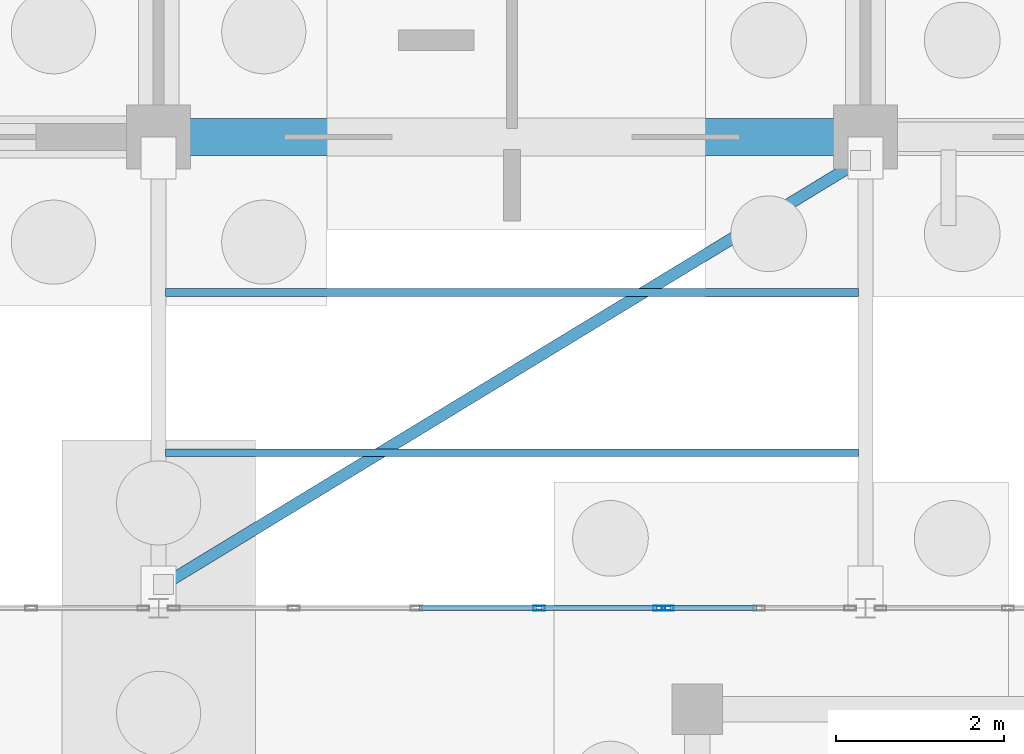
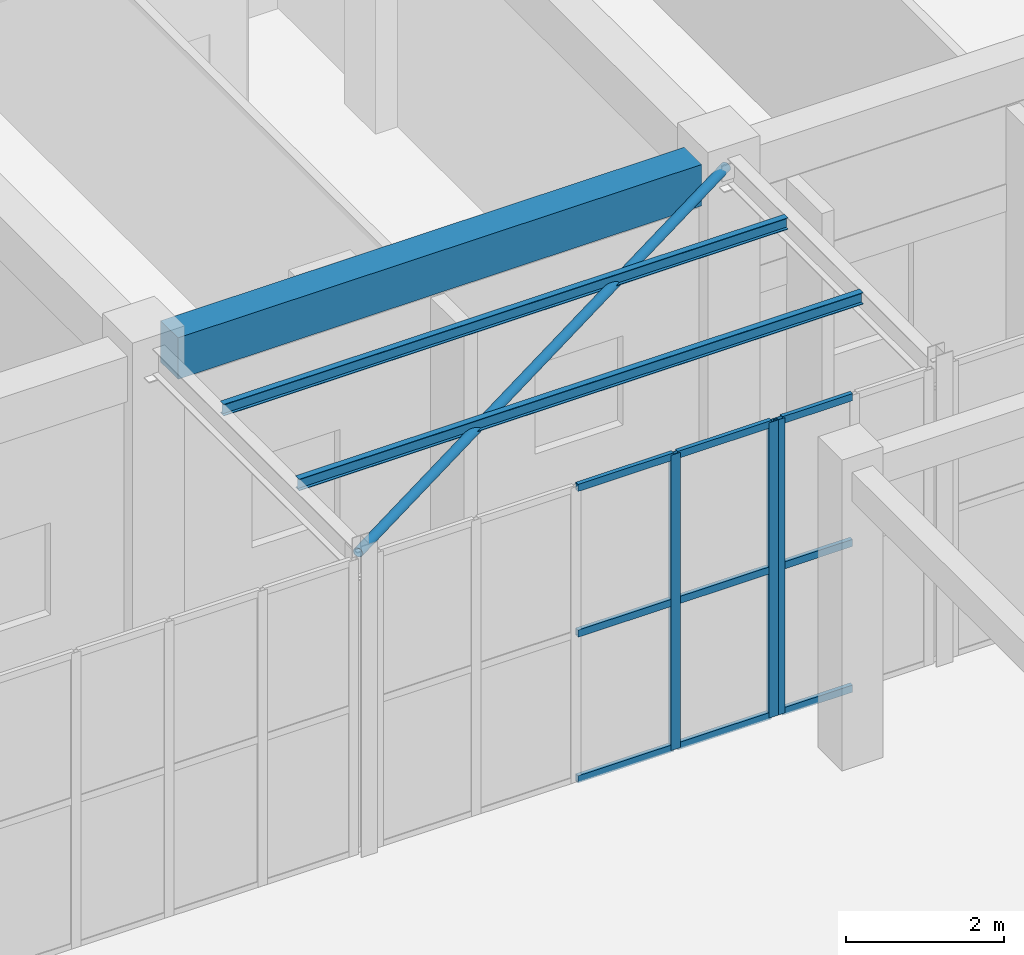
# One storey, part 116 of 192: 13 members, 3 beams, 2 elements without a shape of their own.
"""IFC4 building model written with IfcOpenShell, lengths in metres."""

from ifc_helpers import new_model, si_unit, direction, frame, origin, origin_2d, place, context, subcontext, project, spatial, rectangle, hollow_rectangle, hollow_circle, i_section, extrude, material, layer, layer_set, material_profile, profile_set, type_object, element, aggregate, save


model = new_model("IFC4")

# Units and contexts
model_context = context("Model", 3, precision=1e-05, world=origin(), true_north=direction((0.0, 1.0)))
body_context = subcontext(model_context, "Body", "Model", "MODEL_VIEW")
ifc_project = project(units=[si_unit("LENGTHUNIT", "METRE"), si_unit("AREAUNIT", "SQUARE_METRE"), si_unit("VOLUMEUNIT", "CUBIC_METRE"), si_unit("PLANEANGLEUNIT", "RADIAN"), si_unit("MASSUNIT", "GRAM", prefix="KILO")], contexts=[model_context])

# Site, building, storey
site_placement = place(None, origin())
site = spatial("IfcSite", under=ifc_project, at=site_placement, CompositionType="ELEMENT")
building_placement = place(site_placement, origin())
building = spatial("IfcBuilding", under=site, at=building_placement, Name="Trelvath General Hospital", CompositionType="ELEMENT")
storey_placement = place(building_placement, origin())
storey = spatial("IfcBuildingStorey", under=building, at=storey_placement, Name="L00", CompositionType="ELEMENT", Elevation=0.0)

# Beam
ifc_material_1 = material(Name="Concrete C35/45", Category="concrete")
ifc_material_profile_1 = material_profile(ifc_material_1, rectangle(XDim=0.43994140625, YDim=0.639892578125, at=origin_2d()), Name="RCB440x640")
ifc_profile_set_1 = profile_set([ifc_material_profile_1], Name="Concrete C35/45")
beam_type_1 = type_object("IfcBeamType", Name="Beam RC440x640", PredefinedType="BEAM", material=ifc_profile_set_1)
beam_placement = place(storey_placement, frame((101.175048828125, 92.39990234375, 4.199951171875), z_axis=(1.0, 0.0, 0.0), x_axis=(0.0, 1.0, 0.0)))
element("IfcBeam", 1, at=beam_placement, inside=storey, type_object=beam_type_1, Name="Grid Beam BX-012L", PredefinedType="BEAM", context=body_context, shape_type="SweptSolid", body=[
    extrude(rectangle(XDim=0.43994140625, YDim=0.639892578125, at=origin_2d()), origin(), (0.0, 0.0, 1.0), 7.64990234375),
])

# Member
ifc_material_2 = material(Name="Steel S355", Category="steel")
ifc_material_profile_2 = material_profile(ifc_material_2, hollow_circle(Radius=0.06982421875, WallThickness=0.00634765625, at=origin_2d()), Name="CHS139.7x6.3")
ifc_profile_set_2 = profile_set([ifc_material_profile_2], Name="Steel S355")
member_type_1 = type_object("IfcMemberType", Name="BridgeBrace CHS139", PredefinedType="BRACE", material=ifc_profile_set_2)
member_1_placement = place(storey_placement, frame((100.860107421875, 87.080078125, 4.409912109375), z_axis=(0.854190773615, 0.519959731394, 0.0), x_axis=(-0.519959731394, 0.854190773615, 0.0)))
element("IfcMember", 2, at=member_1_placement, inside=storey, type_object=member_type_1, Name="Bridge Lateral Brace BRG-N-E L01", PredefinedType="BRACE", context=body_context, shape_type="SweptSolid", body=[
    extrude(hollow_circle(Radius=0.06982421875, WallThickness=0.00634765625, at=origin_2d()), origin(), (0.0, 0.0, 1.0), 9.693115234375),
])

# Beams
ifc_material_3 = material(Name="Steel S355", Category="steel")
ifc_material_profile_3 = material_profile(ifc_material_3, i_section(OverallWidth=0.091064453125, OverallDepth=0.179931640625, WebThickness=0.00537109375, FlangeThickness=0.008056640625, at=origin_2d()), Name="IPE180")
ifc_profile_set_3 = profile_set([ifc_material_profile_3], Name="Steel S355")
beam_type_2 = type_object("IfcBeamType", Name="BridgeJoist IPE180", PredefinedType="JOIST", material=ifc_profile_set_3)
for number, where, z_axis, x_axis, name in (
    (3, (100.8798828125, 88.64794921875, 4.52001953125), (1.0, 0.0, 0.0), (0.0, 1.0, 0.0), "Bridge Cross Joist BRG-N-E L01"),
    (4, (100.8798828125, 90.552001953125, 4.52001953125), (1.0, 0.0, 0.0), (0.0, 1.0, 0.0), "Bridge Cross Joist BRG-N-E L01"),
):
    element("IfcBeam", number, at=place(storey_placement, frame(where, z_axis=z_axis, x_axis=x_axis)), inside=storey, type_object=beam_type_2, Name=name, PredefinedType="JOIST", context=body_context, shape_type="SweptSolid", body=[
        extrude(i_section(OverallWidth=0.091064453125, OverallDepth=0.179931640625, WebThickness=0.00537109375, FlangeThickness=0.008056640625, at=origin_2d()), origin(), (0.0, 0.0, 1.0), 8.240234375),
    ])

# Curtain wall, members
ifc_material_4 = material(Name="Anodised aluminium and low-E glass", Category="aluminium")
ifc_layer_1 = layer(ifc_material_4, 0.139892578125)
ifc_layer_set_1 = layer_set([ifc_layer_1], Name="Anodised aluminium and low-E glass")
curtain_wall_type_1 = type_object("IfcCurtainWallType", Name="CW CrystalCube 583 456 14", PredefinedType="USERDEFINED", material=ifc_layer_set_1)
curtain_wall_1_placement = place(storey_placement, origin())
curtain_wall_1 = element("IfcCurtainWall", 5, at=curtain_wall_1_placement, inside=storey, type_object=curtain_wall_type_1, Name="Crystal Cube Curtain Wall CUBE-E-T0 N2 L00", ObjectType="Unitised Glazed Curtain Wall", PredefinedType="USERDEFINED")
ifc_material_5 = material(Name="Anodised aluminium", Category="aluminium")
ifc_material_profile_4 = material_profile(ifc_material_5, hollow_rectangle(XDim=0.06005859375, YDim=0.139892578125, WallThickness=0.00390625, at=origin_2d()), Name="RHS60x140x4")
ifc_profile_set_4 = profile_set([ifc_material_profile_4], Name="Anodised aluminium")
member_type_2 = type_object("IfcMemberType", Name="CurtainMullion 60x140", PredefinedType="MULLION", material=ifc_profile_set_4)
member_2_placement = place(storey_placement, frame((105.322509765625, 86.800048828125, 0.0), z_axis=(0.0, 0.0, 1.0), x_axis=(0.0, 1.0, 0.0)))
member_2 = element("IfcMember", 6, at=member_2_placement, type_object=member_type_2, Name="CW-112 mullion 4", PredefinedType="MULLION", context=body_context, shape_type="SweptSolid", body=[
    extrude(hollow_rectangle(XDim=0.06005859375, YDim=0.139892578125, WallThickness=0.00390625, at=origin_2d()), origin(), (0.0, 0.0, 1.0), 4.56005859375),
])
member_3_placement = place(storey_placement, frame((106.75, 86.800048828125, 0.0), z_axis=(0.0, 0.0, 1.0), x_axis=(0.0, 1.0, 0.0)))
member_3 = element("IfcMember", 7, at=member_3_placement, type_object=member_type_2, Name="CW-112 mullion 5", PredefinedType="MULLION", context=body_context, shape_type="SweptSolid", body=[
    extrude(hollow_rectangle(XDim=0.06005859375, YDim=0.139892578125, WallThickness=0.00390625, at=origin_2d()), origin(), (0.0, 0.0, 1.0), 4.56005859375),
])

# Curtain wall, member
ifc_material_6 = material(Name="Anodised aluminium and low-E glass", Category="aluminium")
ifc_layer_2 = layer(ifc_material_6, 0.139892578125)
ifc_layer_set_2 = layer_set([ifc_layer_2], Name="Anodised aluminium and low-E glass")
curtain_wall_type_2 = type_object("IfcCurtainWallType", Name="CW CrystalCube 223 456 14", PredefinedType="USERDEFINED", material=ifc_layer_set_2)
curtain_wall_2_placement = place(storey_placement, origin())
curtain_wall_2 = element("IfcCurtainWall", 8, at=curtain_wall_2_placement, inside=storey, type_object=curtain_wall_type_2, Name="Crystal Cube Curtain Wall CUBE-E-T0 N3 L00", ObjectType="Unitised Glazed Curtain Wall", PredefinedType="USERDEFINED")
member_4_placement = place(storey_placement, frame((106.85009765625, 86.800048828125, 0.0), z_axis=(0.0, 0.0, 1.0), x_axis=(0.0, 1.0, 0.0)))
member_4 = element("IfcMember", 9, at=member_4_placement, type_object=member_type_2, Name="CW-113 mullion 1", PredefinedType="MULLION", context=body_context, shape_type="SweptSolid", body=[
    extrude(hollow_rectangle(XDim=0.06005859375, YDim=0.139892578125, WallThickness=0.00390625, at=origin_2d()), origin(), (0.0, 0.0, 1.0), 4.56005859375),
])

# Member
ifc_material_7 = material(Name="Anodised aluminium", Category="aluminium")
ifc_material_profile_5 = material_profile(ifc_material_7, hollow_rectangle(XDim=0.06005859375, YDim=0.110107421875, WallThickness=0.00390625, at=origin_2d()), Name="RHS60x110x4")
ifc_profile_set_5 = profile_set([ifc_material_profile_5], Name="Anodised aluminium")
member_type_3 = type_object("IfcMemberType", Name="CurtainTransom 60x110", PredefinedType="USERDEFINED", material=ifc_profile_set_5)
member_5_placement = place(storey_placement, frame((103.89501953125, 86.800048828125, 0.030029296875), z_axis=(1.0, 0.0, 0.0), x_axis=(0.0, 1.0, 0.0)))
member_5 = element("IfcMember", 10, at=member_5_placement, type_object=member_type_3, Name="CW-112 transom 3.1", ObjectType="TRANSOM", PredefinedType="USERDEFINED", context=body_context, shape_type="SweptSolid", body=[
    extrude(hollow_rectangle(XDim=0.06005859375, YDim=0.110107421875, WallThickness=0.00390625, at=origin_2d()), origin(), (0.0, 0.0, 1.0), 1.3974609375),
])

member_6_placement = place(storey_placement, frame((103.89501953125, 86.800048828125, 2.280029296875), z_axis=(1.0, 0.0, 0.0), x_axis=(0.0, 1.0, 0.0)))
member_6 = element("IfcMember", 11, at=member_6_placement, type_object=member_type_3, Name="CW-112 transom 3.2", ObjectType="TRANSOM", PredefinedType="USERDEFINED", context=body_context, shape_type="SweptSolid", body=[
    extrude(hollow_rectangle(XDim=0.06005859375, YDim=0.110107421875, WallThickness=0.00390625, at=origin_2d()), origin(), (0.0, 0.0, 1.0), 1.3974609375),
])

member_7_placement = place(storey_placement, frame((103.89501953125, 86.800048828125, 4.530029296875), z_axis=(1.0, 0.0, 0.0), x_axis=(0.0, 1.0, 0.0)))
member_7 = element("IfcMember", 12, at=member_7_placement, type_object=member_type_3, Name="CW-112 transom 3.3", ObjectType="TRANSOM", PredefinedType="USERDEFINED", context=body_context, shape_type="SweptSolid", body=[
    extrude(hollow_rectangle(XDim=0.06005859375, YDim=0.110107421875, WallThickness=0.00390625, at=origin_2d()), origin(), (0.0, 0.0, 1.0), 1.3974609375),
])

member_8_placement = place(storey_placement, frame((105.3525390625, 86.800048828125, 0.030029296875), z_axis=(1.0, 0.0, 0.0), x_axis=(0.0, 1.0, 0.0)))
member_8 = element("IfcMember", 13, at=member_8_placement, type_object=member_type_3, Name="CW-112 transom 4.1", ObjectType="TRANSOM", PredefinedType="USERDEFINED", context=body_context, shape_type="SweptSolid", body=[
    extrude(hollow_rectangle(XDim=0.06005859375, YDim=0.110107421875, WallThickness=0.00390625, at=origin_2d()), origin(), (0.0, 0.0, 1.0), 1.367431640625),
])

member_9_placement = place(storey_placement, frame((105.3525390625, 86.800048828125, 2.280029296875), z_axis=(1.0, 0.0, 0.0), x_axis=(0.0, 1.0, 0.0)))
member_9 = element("IfcMember", 14, at=member_9_placement, type_object=member_type_3, Name="CW-112 transom 4.2", ObjectType="TRANSOM", PredefinedType="USERDEFINED", context=body_context, shape_type="SweptSolid", body=[
    extrude(hollow_rectangle(XDim=0.06005859375, YDim=0.110107421875, WallThickness=0.00390625, at=origin_2d()), origin(), (0.0, 0.0, 1.0), 1.367431640625),
])

member_10_placement = place(storey_placement, frame((105.3525390625, 86.800048828125, 4.530029296875), z_axis=(1.0, 0.0, 0.0), x_axis=(0.0, 1.0, 0.0)))
member_10 = element("IfcMember", 15, at=member_10_placement, type_object=member_type_3, Name="CW-112 transom 4.3", ObjectType="TRANSOM", PredefinedType="USERDEFINED", context=body_context, shape_type="SweptSolid", body=[
    extrude(hollow_rectangle(XDim=0.06005859375, YDim=0.110107421875, WallThickness=0.00390625, at=origin_2d()), origin(), (0.0, 0.0, 1.0), 1.367431640625),
])

aggregate(curtain_wall_1, [member_2, member_3, member_5, member_6, member_7, member_8, member_9, member_10])

member_11_placement = place(storey_placement, frame((106.8798828125, 86.800048828125, 0.030029296875), z_axis=(1.0, 0.0, 0.0), x_axis=(0.0, 1.0, 0.0)))
member_11 = element("IfcMember", 16, at=member_11_placement, type_object=member_type_3, Name="CW-113 transom 1.1", ObjectType="TRANSOM", PredefinedType="USERDEFINED", context=body_context, shape_type="SweptSolid", body=[
    extrude(hollow_rectangle(XDim=0.06005859375, YDim=0.110107421875, WallThickness=0.00390625, at=origin_2d()), origin(), (0.0, 0.0, 1.0), 1.025146484375),
])

member_12_placement = place(storey_placement, frame((106.8798828125, 86.800048828125, 2.280029296875), z_axis=(1.0, 0.0, 0.0), x_axis=(0.0, 1.0, 0.0)))
member_12 = element("IfcMember", 17, at=member_12_placement, type_object=member_type_3, Name="CW-113 transom 1.2", ObjectType="TRANSOM", PredefinedType="USERDEFINED", context=body_context, shape_type="SweptSolid", body=[
    extrude(hollow_rectangle(XDim=0.06005859375, YDim=0.110107421875, WallThickness=0.00390625, at=origin_2d()), origin(), (0.0, 0.0, 1.0), 1.025146484375),
])

member_13_placement = place(storey_placement, frame((106.8798828125, 86.800048828125, 4.530029296875), z_axis=(1.0, 0.0, 0.0), x_axis=(0.0, 1.0, 0.0)))
member_13 = element("IfcMember", 18, at=member_13_placement, type_object=member_type_3, Name="CW-113 transom 1.3", ObjectType="TRANSOM", PredefinedType="USERDEFINED", context=body_context, shape_type="SweptSolid", body=[
    extrude(hollow_rectangle(XDim=0.06005859375, YDim=0.110107421875, WallThickness=0.00390625, at=origin_2d()), origin(), (0.0, 0.0, 1.0), 1.025146484375),
])

aggregate(curtain_wall_2, [member_4, member_11, member_12, member_13])

save(model, "model.ifc")
